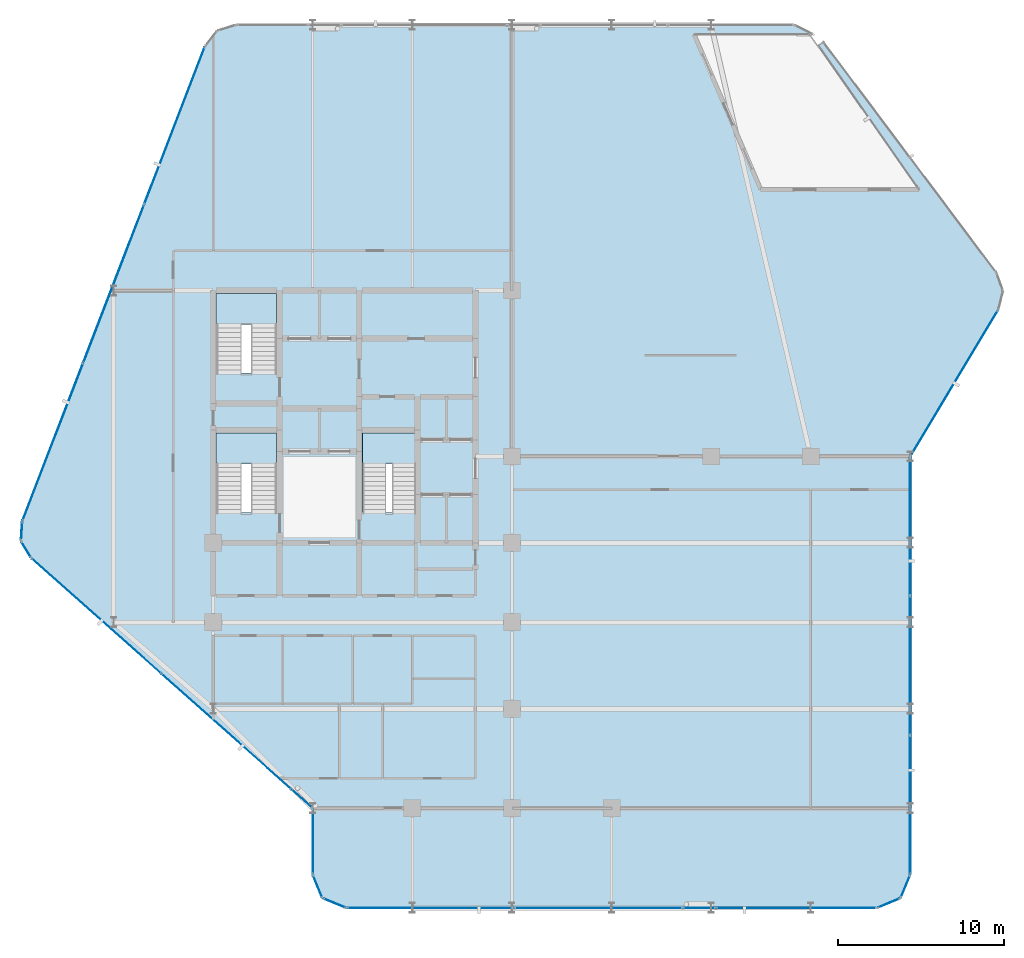
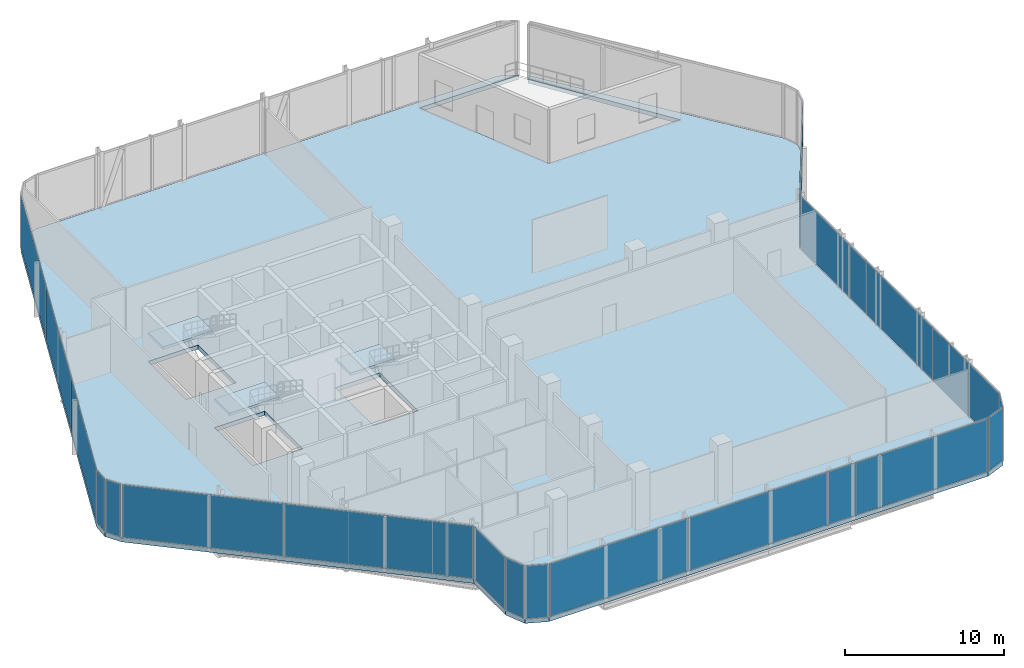
# One storey, part 24 of 31: 21 plates, 4 slabs, 18 elements without a shape of their own.
"""IFC4 building model written with IfcOpenShell, lengths in metres."""

from ifc_helpers import new_model, si_unit, direction, frame, origin, origin_2d, place, context, subcontext, project, spatial, polyline, rectangle, outline, extrude, material, layer, layer_set, type_object, element, aggregate, save


model = new_model("IFC4")

# Units and contexts
model_context = context("Model", 3, precision=1e-05, world=origin(), true_north=direction((0.0, 1.0)))
body_context = subcontext(model_context, "Body", "Model", "MODEL_VIEW")
ifc_project = project(units=[si_unit("LENGTHUNIT", "METRE"), si_unit("AREAUNIT", "SQUARE_METRE"), si_unit("VOLUMEUNIT", "CUBIC_METRE"), si_unit("PLANEANGLEUNIT", "RADIAN"), si_unit("MASSUNIT", "GRAM", prefix="KILO")], contexts=[model_context])

# Site, building, storey
site_placement = place(None, origin())
site = spatial("IfcSite", under=ifc_project, at=site_placement, CompositionType="ELEMENT")
building_placement = place(site_placement, origin())
building = spatial("IfcBuilding", under=site, at=building_placement, Name="Keshet Zoharim Tower", CompositionType="ELEMENT")
storey_placement = place(building_placement, frame((0.0, 0.0, 125.300048828125)))
storey = spatial("IfcBuildingStorey", under=building, at=storey_placement, Name="L30", CompositionType="ELEMENT", Elevation=125.300048828125)

# Curtain wall, plate
ifc_material_1 = material(Name="Aluminium 6063-T6", Category="aluminium")
ifc_layer_1 = layer(ifc_material_1, 0.14990234375)
ifc_layer_set_1 = layer_set([ifc_layer_1], Name="Aluminium 6063-T6")
curtain_wall_type = type_object("IfcCurtainWallType", Name="CW-SYS-04", PredefinedType="NOTDEFINED", material=ifc_layer_set_1)
curtain_wall_1_placement = place(storey_placement, origin())
curtain_wall_1 = element("IfcCurtainWall", 1, at=curtain_wall_1_placement, inside=storey, type_object=curtain_wall_type, Name="L30 Unitised Curtain Wall 05", PredefinedType="NOTDEFINED")
ifc_material_2 = material(Name="Insulated Low-E Clear Glass", Category="glass")
ifc_layer_2 = layer(ifc_material_2, 0.035888671875)
ifc_layer_set_2 = layer_set([ifc_layer_2], Name="Insulated Low-E Clear Glass")
plate_type_1 = type_object("IfcPlateType", Name="CWP-01", PredefinedType="CURTAIN_PANEL", material=ifc_layer_set_2)
plate_1_placement = place(storey_placement, frame((59.654052734375, 32.323486328125, 0.070068359375), z_axis=(0.0, 0.0, 1.0), x_axis=(-0.514481501576, -0.857501477862, 0.0)))
plate_1 = element("IfcPlate", 2, at=plate_1_placement, type_object=plate_type_1, Name="CW-04 panel 1.1", PredefinedType="CURTAIN_PANEL", context=body_context, shape_type="SweptSolid", body=[
    extrude(rectangle(XDim=10.17724609375, YDim=0.035888671875, at=origin_2d()), origin(), (0.0, 0.0, 1.0), 4.044921875),
])
aggregate(curtain_wall_1, [plate_1])

# Curtain wall, plates
curtain_wall_2_placement = place(storey_placement, origin())
curtain_wall_2 = element("IfcCurtainWall", 3, at=curtain_wall_2_placement, inside=storey, type_object=curtain_wall_type, Name="L30 Unitised Curtain Wall 06", PredefinedType="NOTDEFINED")
plate_2_placement = place(storey_placement, frame((57.0, 23.6826171875, 0.070068359375), z_axis=(0.0, 0.0, 1.0), x_axis=(0.0, -1.0, 0.0)))
plate_2 = element("IfcPlate", 4, at=plate_2_placement, type_object=plate_type_1, Name="CW-04 panel 1.1", PredefinedType="CURTAIN_PANEL", context=body_context, shape_type="SweptSolid", body=[
    extrude(rectangle(XDim=8.294921875, YDim=0.035888671875, at=origin_2d()), origin(), (0.0, 0.0, 1.0), 4.044921875),
])
plate_3_placement = place(storey_placement, frame((57.0, 15.300048828125, 0.070068359375), z_axis=(0.0, 0.0, 1.0), x_axis=(0.0, -1.0, 0.0)))
plate_3 = element("IfcPlate", 5, at=plate_3_placement, type_object=plate_type_1, Name="CW-04 panel 2.1", PredefinedType="CURTAIN_PANEL", context=body_context, shape_type="SweptSolid", body=[
    extrude(rectangle(XDim=8.330078125, YDim=0.035888671875, at=origin_2d()), origin(), (0.0, 0.0, 1.0), 4.044921875),
])
plate_4_placement = place(storey_placement, frame((57.0, 6.91748046875, 0.070068359375), z_axis=(0.0, 0.0, 1.0), x_axis=(0.0, -1.0, 0.0)))
plate_4 = element("IfcPlate", 6, at=plate_4_placement, type_object=plate_type_1, Name="CW-04 panel 3.1", PredefinedType="CURTAIN_PANEL", context=body_context, shape_type="SweptSolid", body=[
    extrude(rectangle(XDim=8.294921875, YDim=0.035888671875, at=origin_2d()), origin(), (0.0, 0.0, 1.0), 4.044921875),
])
aggregate(curtain_wall_2, [plate_2, plate_3, plate_4])

# Curtain wall, plate
curtain_wall_3_placement = place(storey_placement, origin())
curtain_wall_3 = element("IfcCurtainWall", 7, at=curtain_wall_3_placement, inside=storey, type_object=curtain_wall_type, Name="L30 Unitised Curtain Wall 07", PredefinedType="NOTDEFINED")
plate_5_placement = place(storey_placement, frame((56.70703125, 1.992919921875, 0.070068359375), z_axis=(0.0, 0.0, 1.0), x_axis=(-0.382851849847, -0.92380975372, 0.0)))
plate_5 = element("IfcPlate", 8, at=plate_5_placement, type_object=plate_type_1, Name="CW-04 panel 1.1", PredefinedType="CURTAIN_PANEL", context=body_context, shape_type="SweptSolid", body=[
    extrude(rectangle(XDim=1.390625, YDim=0.035888671875, at=origin_2d()), origin(), (0.0, 0.0, 1.0), 4.044921875),
])
aggregate(curtain_wall_3, [plate_5])

curtain_wall_4_placement = place(storey_placement, origin())
curtain_wall_4 = element("IfcCurtainWall", 9, at=curtain_wall_4_placement, inside=storey, type_object=curtain_wall_type, Name="L30 Unitised Curtain Wall 08", PredefinedType="NOTDEFINED")
plate_6_placement = place(storey_placement, frame((55.70703125, 0.992919921875, 0.070068359375), z_axis=(0.0, 0.0, 1.0), x_axis=(-0.92380975372, -0.382851849847, 0.0)))
plate_6 = element("IfcPlate", 10, at=plate_6_placement, type_object=plate_type_1, Name="CW-04 panel 1.1", PredefinedType="CURTAIN_PANEL", context=body_context, shape_type="SweptSolid", body=[
    extrude(rectangle(XDim=1.390625, YDim=0.035888671875, at=origin_2d()), origin(), (0.0, 0.0, 1.0), 4.044921875),
])
aggregate(curtain_wall_4, [plate_6])

curtain_wall_5_placement = place(storey_placement, origin())
curtain_wall_5 = element("IfcCurtainWall", 11, at=curtain_wall_5_placement, inside=storey, type_object=curtain_wall_type, Name="L30 Unitised Curtain Wall 09", PredefinedType="NOTDEFINED")
plate_7_placement = place(storey_placement, frame((50.126220703125, 0.699951171875, 0.070068359375), z_axis=(0.0, 0.0, 1.0), x_axis=(-1.0, 0.0, 0.0)))
plate_7 = element("IfcPlate", 12, at=plate_7_placement, type_object=plate_type_1, Name="CW-04 panel 1.1", PredefinedType="CURTAIN_PANEL", context=body_context, shape_type="SweptSolid", body=[
    extrude(rectangle(XDim=9.607421875, YDim=0.035888671875, at=origin_2d()), origin(), (0.0, 0.0, 1.0), 4.044921875),
])
aggregate(curtain_wall_5, [plate_7])

# Curtain wall, plates
curtain_wall_6_placement = place(storey_placement, origin())
curtain_wall_6 = element("IfcCurtainWall", 13, at=curtain_wall_6_placement, inside=storey, type_object=curtain_wall_type, Name="L30 Unitised Curtain Wall 09 Part 3", PredefinedType="NOTDEFINED")
plate_8_placement = place(storey_placement, frame((38.203125, 0.699951171875, 0.070068359375), z_axis=(0.0, 0.0, 1.0), x_axis=(-1.0, 0.0, 0.0)))
plate_8 = element("IfcPlate", 14, at=plate_8_placement, type_object=plate_type_1, Name="CW-04 panel 1.1", PredefinedType="CURTAIN_PANEL", context=body_context, shape_type="SweptSolid", body=[
    extrude(rectangle(XDim=10.0888671875, YDim=0.035888671875, at=origin_2d()), origin(), (0.0, 0.0, 1.0), 4.044921875),
])
plate_9_placement = place(storey_placement, frame((28.079345703125, 0.699951171875, 0.070068359375), z_axis=(0.0, 0.0, 1.0), x_axis=(-1.0, 0.0, 0.0)))
plate_9 = element("IfcPlate", 15, at=plate_9_placement, type_object=plate_type_1, Name="CW-04 panel 2.1", PredefinedType="CURTAIN_PANEL", context=body_context, shape_type="SweptSolid", body=[
    extrude(rectangle(XDim=10.018798828125, YDim=0.035888671875, at=origin_2d()), origin(), (0.0, 0.0, 1.0), 4.044921875),
])
aggregate(curtain_wall_6, [plate_8, plate_9])

# Curtain wall, plate
curtain_wall_7_placement = place(storey_placement, origin())
curtain_wall_7 = element("IfcCurtainWall", 16, at=curtain_wall_7_placement, inside=storey, type_object=curtain_wall_type, Name="L30 Unitised Curtain Wall 10", PredefinedType="NOTDEFINED")
plate_10_placement = place(storey_placement, frame((22.29296875, 0.992919921875, 0.070068359375), z_axis=(0.0, 0.0, 1.0), x_axis=(-0.92380975372, 0.382851849847, 0.0)))
plate_10 = element("IfcPlate", 17, at=plate_10_placement, type_object=plate_type_1, Name="CW-04 panel 1.1", PredefinedType="CURTAIN_PANEL", context=body_context, shape_type="SweptSolid", body=[
    extrude(rectangle(XDim=1.390625, YDim=0.035888671875, at=origin_2d()), origin(), (0.0, 0.0, 1.0), 4.044921875),
])
aggregate(curtain_wall_7, [plate_10])

curtain_wall_8_placement = place(storey_placement, origin())
curtain_wall_8 = element("IfcCurtainWall", 18, at=curtain_wall_8_placement, inside=storey, type_object=curtain_wall_type, Name="L30 Unitised Curtain Wall 11", PredefinedType="NOTDEFINED")
plate_11_placement = place(storey_placement, frame((21.29296875, 1.992919921875, 0.070068359375), z_axis=(0.0, 0.0, 1.0), x_axis=(-0.382851849847, 0.92380975372, 0.0)))
plate_11 = element("IfcPlate", 19, at=plate_11_placement, type_object=plate_type_1, Name="CW-04 panel 1.1", PredefinedType="CURTAIN_PANEL", context=body_context, shape_type="SweptSolid", body=[
    extrude(rectangle(XDim=1.390625, YDim=0.035888671875, at=origin_2d()), origin(), (0.0, 0.0, 1.0), 4.044921875),
])
aggregate(curtain_wall_8, [plate_11])

curtain_wall_9_placement = place(storey_placement, origin())
curtain_wall_9 = element("IfcCurtainWall", 20, at=curtain_wall_9_placement, inside=storey, type_object=curtain_wall_type, Name="L30 Unitised Curtain Wall 12", PredefinedType="NOTDEFINED")
plate_12_placement = place(storey_placement, frame((21.0, 4.699951171875, 0.070068359375), z_axis=(0.0, 0.0, 1.0), x_axis=(0.0, 1.0, 0.0)))
plate_12 = element("IfcPlate", 21, at=plate_12_placement, type_object=plate_type_1, Name="CW-04 panel 1.1", PredefinedType="CURTAIN_PANEL", context=body_context, shape_type="SweptSolid", body=[
    extrude(rectangle(XDim=3.860107421875, YDim=0.035888671875, at=origin_2d()), origin(), (0.0, 0.0, 1.0), 4.044921875),
])
aggregate(curtain_wall_9, [plate_12])

# Curtain wall, plates
curtain_wall_10_placement = place(storey_placement, origin())
curtain_wall_10 = element("IfcCurtainWall", 22, at=curtain_wall_10_placement, inside=storey, type_object=curtain_wall_type, Name="L30 Unitised Curtain Wall 13 Part 2", PredefinedType="NOTDEFINED")
plate_13_placement = place(storey_placement, frame((15.790771484375, 11.33056640625, 0.070068359375), z_axis=(0.0, 0.0, 1.0), x_axis=(-0.747410372184, 0.664362653641, 0.0)))
plate_13 = element("IfcPlate", 23, at=plate_13_placement, type_object=plate_type_1, Name="CW-04 panel 1.1", PredefinedType="CURTAIN_PANEL", context=body_context, shape_type="SweptSolid", body=[
    extrude(rectangle(XDim=10.439208984375, YDim=0.035888671875, at=origin_2d()), origin(), (0.0, 0.0, 1.0), 4.044921875),
])
plate_14_placement = place(storey_placement, frame((7.96240234375, 18.2890625, 0.070068359375), z_axis=(0.0, 0.0, 1.0), x_axis=(-0.747410372184, 0.664362653641, 0.0)))
plate_14 = element("IfcPlate", 24, at=plate_14_placement, type_object=plate_type_1, Name="CW-04 panel 2.1", PredefinedType="CURTAIN_PANEL", context=body_context, shape_type="SweptSolid", body=[
    extrude(rectangle(XDim=10.369140625, YDim=0.035888671875, at=origin_2d()), origin(), (0.0, 0.0, 1.0), 4.044921875),
])
aggregate(curtain_wall_10, [plate_13, plate_14])

# Curtain wall, plate
curtain_wall_11_placement = place(storey_placement, origin())
curtain_wall_11 = element("IfcCurtainWall", 25, at=curtain_wall_11_placement, inside=storey, type_object=curtain_wall_type, Name="L30 Unitised Curtain Wall 14", PredefinedType="NOTDEFINED")
plate_15_placement = place(storey_placement, frame((3.7275390625, 22.291015625, 0.070068359375), z_axis=(0.0, 0.0, 1.0), x_axis=(-0.515604947933, 0.856826433805, 0.0)))
plate_15 = element("IfcPlate", 26, at=plate_15_placement, type_object=plate_type_1, Name="CW-04 panel 1.1", PredefinedType="CURTAIN_PANEL", context=body_context, shape_type="SweptSolid", body=[
    extrude(rectangle(XDim=1.052734375, YDim=0.035888671875, at=origin_2d()), origin(), (0.0, 0.0, 1.0), 4.044921875),
])
aggregate(curtain_wall_11, [plate_15])

curtain_wall_12_placement = place(storey_placement, origin())
curtain_wall_12 = element("IfcCurtainWall", 27, at=curtain_wall_12_placement, inside=storey, type_object=curtain_wall_type, Name="L30 Unitised Curtain Wall 15", PredefinedType="NOTDEFINED")
plate_16_placement = place(storey_placement, frame((3.45849609375, 23.3974609375, 0.070068359375), z_axis=(0.0, 0.0, 1.0), x_axis=(0.064516859374, 0.997916617186, 0.0)))
plate_16 = element("IfcPlate", 28, at=plate_16_placement, type_object=plate_type_1, Name="CW-04 panel 1.1", PredefinedType="CURTAIN_PANEL", context=body_context, shape_type="SweptSolid", body=[
    extrude(rectangle(XDim=1.053466796875, YDim=0.035888671875, at=origin_2d()), origin(), (0.0, 0.0, 1.0), 4.044921875),
])
aggregate(curtain_wall_12, [plate_16])

# Curtain wall, plates
curtain_wall_13_placement = place(storey_placement, origin())
curtain_wall_13 = element("IfcCurtainWall", 29, at=curtain_wall_13_placement, inside=storey, type_object=curtain_wall_type, Name="L30 Unitised Curtain Wall 16", PredefinedType="NOTDEFINED")
plate_17_placement = place(storey_placement, frame((5.33837890625, 28.7802734375, 0.070068359375), z_axis=(0.0, 0.0, 1.0), x_axis=(0.358990003907, 0.933341404361, 0.0)))
plate_17 = element("IfcPlate", 30, at=plate_17_placement, type_object=plate_type_1, Name="CW-04 panel 1.1", PredefinedType="CURTAIN_PANEL", context=body_context, shape_type="SweptSolid", body=[
    extrude(rectangle(XDim=10.1181640625, YDim=0.035888671875, at=origin_2d()), origin(), (0.0, 0.0, 1.0), 4.044921875),
])
plate_18_placement = place(storey_placement, frame((9.001953125, 38.305419921875, 0.070068359375), z_axis=(0.0, 0.0, 1.0), x_axis=(0.358990003907, 0.933341404361, 0.0)))
plate_18 = element("IfcPlate", 31, at=plate_18_placement, type_object=plate_type_1, Name="CW-04 panel 2.1", PredefinedType="CURTAIN_PANEL", context=body_context, shape_type="SweptSolid", body=[
    extrude(rectangle(XDim=10.153076171875, YDim=0.035888671875, at=origin_2d()), origin(), (0.0, 0.0, 1.0), 4.044921875),
])
plate_19_placement = place(storey_placement, frame((12.665771484375, 47.830810546875, 0.070068359375), z_axis=(0.0, 0.0, 1.0), x_axis=(0.358990003907, 0.933341404361, 0.0)))
plate_19 = element("IfcPlate", 32, at=plate_19_placement, type_object=plate_type_1, Name="CW-04 panel 3.1", PredefinedType="CURTAIN_PANEL", context=body_context, shape_type="SweptSolid", body=[
    extrude(rectangle(XDim=10.1181640625, YDim=0.035888671875, at=origin_2d()), origin(), (0.0, 0.0, 1.0), 4.044921875),
])
aggregate(curtain_wall_13, [plate_17, plate_18, plate_19])

# Curtain wall, plate
curtain_wall_14_placement = place(storey_placement, origin())
curtain_wall_14 = element("IfcCurtainWall", 33, at=curtain_wall_14_placement, inside=storey, type_object=curtain_wall_type, Name="L30 Unitised Curtain Wall 09 Part 2", PredefinedType="NOTDEFINED")
ifc_material_3 = material(Name="Insulated Aluminium Spandrel Panel", Category="aluminium")
ifc_layer_3 = layer(ifc_material_3, 0.035888671875)
ifc_layer_set_3 = layer_set([ifc_layer_3], Name="Insulated Aluminium Spandrel Panel")
plate_type_2 = type_object("IfcPlateType", Name="CWP-04", PredefinedType="CURTAIN_PANEL", material=ifc_layer_set_3)
plate_20_placement = place(storey_placement, frame((44.284912109375, 0.699951171875, 0.070068359375), z_axis=(0.0, 0.0, 1.0), x_axis=(-1.0, 0.0, 0.0)))
plate_20 = element("IfcPlate", 34, at=plate_20_placement, type_object=plate_type_2, Name="CW-04 spandrel panel 1.1", PredefinedType="CURTAIN_PANEL", context=body_context, shape_type="SweptSolid", body=[
    extrude(rectangle(XDim=1.93505859375, YDim=0.035888671875, at=origin_2d()), origin(), (0.0, 0.0, 1.0), 4.044921875),
])
aggregate(curtain_wall_14, [plate_20])

curtain_wall_15_placement = place(storey_placement, origin())
curtain_wall_15 = element("IfcCurtainWall", 35, at=curtain_wall_15_placement, inside=storey, type_object=curtain_wall_type, Name="L30 Unitised Curtain Wall 13", PredefinedType="NOTDEFINED")
plate_21_placement = place(storey_placement, frame((20.345947265625, 7.281494140625, 0.070068359375), z_axis=(0.0, 0.0, 1.0), x_axis=(-0.747396709219, 0.664378024207, 0.0)))
plate_21 = element("IfcPlate", 36, at=plate_21_placement, type_object=plate_type_2, Name="CW-04 spandrel panel 1.1", PredefinedType="CURTAIN_PANEL", context=body_context, shape_type="SweptSolid", body=[
    extrude(rectangle(XDim=1.610107421875, YDim=0.035888671875, at=origin_2d()), origin(), (0.0, 0.0, 1.0), 4.044921875),
])
aggregate(curtain_wall_15, [plate_21])

# Slab
ifc_material_4 = material(Name="Concrete C50/60", Category="concrete")
ifc_layer_4 = layer(ifc_material_4, 0.320068359375)
ifc_layer_set_4 = layer_set([ifc_layer_4], Name="Concrete C50/60")
slab_type_1 = type_object("IfcSlabType", Name="SLB-COM-320", PredefinedType="FLOOR", material=ifc_layer_set_4)
slab_1_placement = place(storey_placement, frame((0.0, 0.0, -0.320068359375)))
element("IfcSlab", 37, at=slab_1_placement, inside=storey, type_object=slab_type_1, Name="L30 Structural Floor Slab 1", PredefinedType="FLOOR", context=body_context, shape_type="SweptSolid", body=[
    extrude(outline(polyline([(51.469970703125, 52.6630859375), (51.76611328125, 52.8779296875), (62.193115234375, 38.97607421875), (62.590087890625, 37.87890625), (62.30810546875, 36.7470703125), (57.0, 27.89990234375), (57.0, 2.699951171875), (56.4140625, 1.285888671875), (55.0, 0.699951171875), (23.0, 0.699951171875), (21.5859375, 1.285888671875), (21.0, 2.699951171875), (21.0, 6.699951171875), (4.034912109375, 21.780029296875), (3.419921875, 22.802001953125), (3.4970703125, 23.992919921875), (14.507080078125, 52.617919921875), (15.240966796875, 53.549072265625), (16.3740234375, 53.89990234375), (50.0, 53.89990234375), (51.159912109375, 53.320068359375), (51.010009765625, 53.320068359375), (43.969970703125, 53.320068359375), (47.987060546875, 43.97998046875), (57.5380859375, 43.97998046875), (51.469970703125, 52.6630859375)]), holes=[polyline([(15.179931640625, 24.52001953125), (18.820068359375, 24.52001953125), (18.820068359375, 29.320068359375), (15.179931640625, 29.320068359375), (15.179931640625, 24.52001953125)]), polyline([(15.179931640625, 32.919921875), (18.820068359375, 32.919921875), (18.820068359375, 37.719970703125), (15.179931640625, 37.719970703125), (15.179931640625, 32.919921875)]), polyline([(23.97998046875, 24.52001953125), (27.219970703125, 24.52001953125), (27.219970703125, 29.320068359375), (23.97998046875, 29.320068359375), (23.97998046875, 24.52001953125)])]), origin(), (0.0, 0.0, 1.0), 0.320068359375),
])

# Stair, slab
stair_type = type_object("IfcStairType", Name="STR-EXIT-135", PredefinedType="HALF_TURN_STAIR", material=ifc_material_4)
stair_1_placement = place(storey_placement, origin())
stair_1 = element("IfcStair", 38, at=stair_1_placement, inside=storey, type_object=stair_type, Name="L30 Enclosed Exit Stair ST-01", PredefinedType="HALF_TURN_STAIR")
ifc_layer_5 = layer(ifc_material_4, 0.199951171875)
ifc_layer_set_5 = layer_set([ifc_layer_5], Name="Concrete C50/60")
slab_type_2 = type_object("IfcSlabType", Name="SLB-LND-200", PredefinedType="LANDING", material=ifc_layer_set_5)
slab_2_placement = place(storey_placement, frame((0.0, 0.0, 2.050048828125)))
slab_2 = element("IfcSlab", 39, at=slab_2_placement, type_object=slab_type_2, Name="ST-01 landing 1", PredefinedType="LANDING", context=body_context, shape_type="SweptSolid", body=[
    extrude(outline(polyline([(15.179931640625, 27.43994140625), (18.820068359375, 27.43994140625), (18.820068359375, 29.320068359375), (15.179931640625, 29.320068359375), (15.179931640625, 27.43994140625)])), origin(), (0.0, 0.0, 1.0), 0.199951171875),
])
aggregate(stair_1, [slab_2])

stair_2_placement = place(storey_placement, origin())
stair_2 = element("IfcStair", 40, at=stair_2_placement, inside=storey, type_object=stair_type, Name="L30 Enclosed Exit Stair ST-02", PredefinedType="HALF_TURN_STAIR")
slab_3_placement = place(storey_placement, frame((0.0, 0.0, 2.050048828125)))
slab_3 = element("IfcSlab", 41, at=slab_3_placement, type_object=slab_type_2, Name="ST-02 landing 1", PredefinedType="LANDING", context=body_context, shape_type="SweptSolid", body=[
    extrude(outline(polyline([(15.179931640625, 35.840087890625), (18.820068359375, 35.840087890625), (18.820068359375, 37.719970703125), (15.179931640625, 37.719970703125), (15.179931640625, 35.840087890625)])), origin(), (0.0, 0.0, 1.0), 0.199951171875),
])
aggregate(stair_2, [slab_3])

stair_3_placement = place(storey_placement, origin())
stair_3 = element("IfcStair", 42, at=stair_3_placement, inside=storey, type_object=stair_type, Name="L30 Enclosed Exit Stair ST-03", PredefinedType="HALF_TURN_STAIR")
slab_4_placement = place(storey_placement, frame((0.0, 0.0, 2.050048828125)))
slab_4 = element("IfcSlab", 43, at=slab_4_placement, type_object=slab_type_2, Name="ST-03 landing 1", PredefinedType="LANDING", context=body_context, shape_type="SweptSolid", body=[
    extrude(outline(polyline([(23.97998046875, 27.43994140625), (27.219970703125, 27.43994140625), (27.219970703125, 29.320068359375), (23.97998046875, 29.320068359375), (23.97998046875, 27.43994140625)])), origin(), (0.0, 0.0, 1.0), 0.199951171875),
])
aggregate(stair_3, [slab_4])

save(model, "model.ifc")
